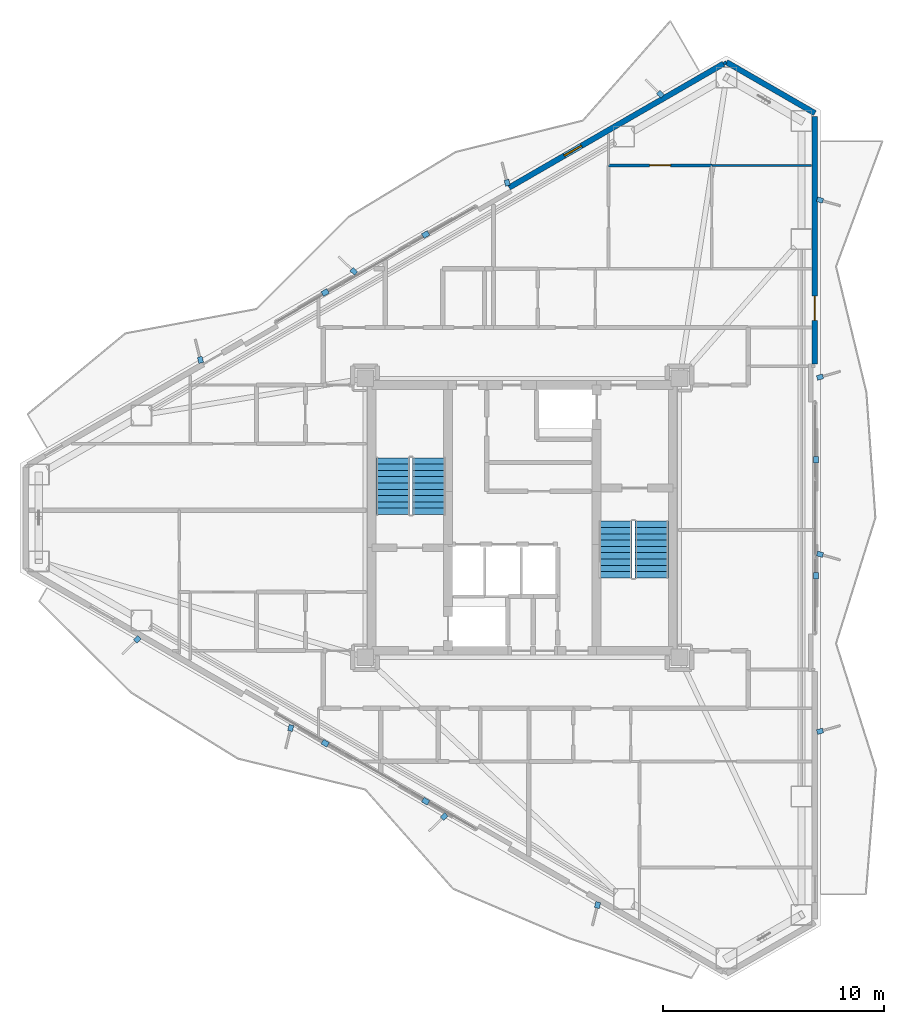
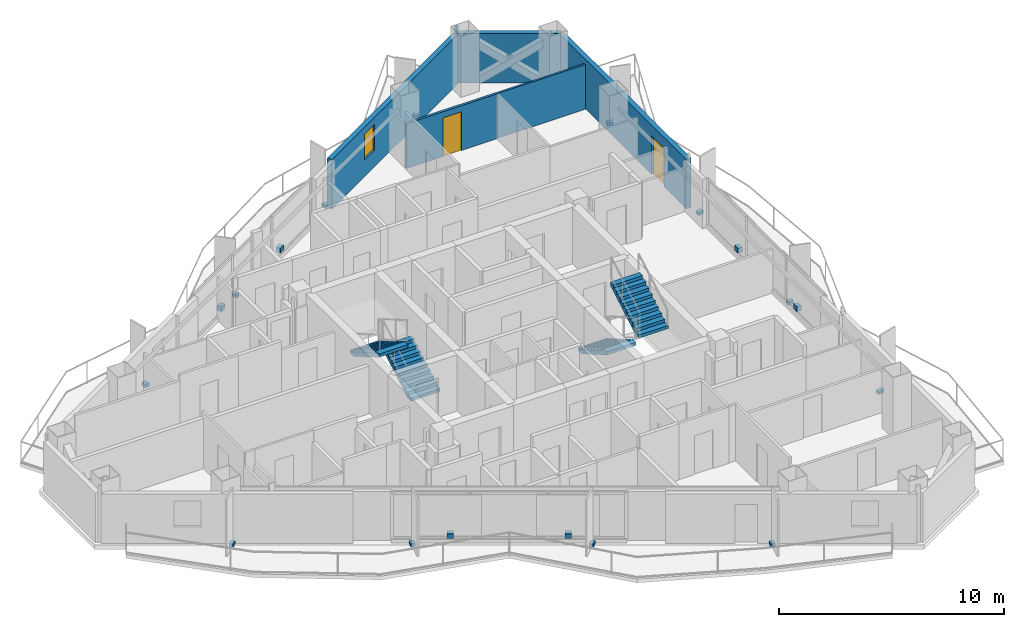
# One storey, part 17 of 19: 18 discrete accessories, 6 walls, 4 stair flights, 2 doors, 1 window, 3 openings, 2 elements without a shape of their own.
"""IFC4 building model written with IfcOpenShell, lengths in metres."""

from ifc_helpers import new_model, si_unit, direction, frame, frame_2d, origin, origin_2d, place, context, subcontext, project, spatial, polyline, rectangle, outline, extrude, material, layer, layer_set, type_object, element, fill, aggregate, save


model = new_model("IFC4")

# Units and contexts
model_context = context("Model", 3, precision=1e-05, world=origin(), true_north=direction((0.0, 1.0)))
body_context = subcontext(model_context, "Body", "Model", "MODEL_VIEW")
ifc_project = project(units=[si_unit("LENGTHUNIT", "METRE"), si_unit("AREAUNIT", "SQUARE_METRE"), si_unit("VOLUMEUNIT", "CUBIC_METRE"), si_unit("PLANEANGLEUNIT", "RADIAN"), si_unit("MASSUNIT", "GRAM", prefix="KILO")], contexts=[model_context])

# Site, building, storey
site_placement = place(None, origin())
site = spatial("IfcSite", under=ifc_project, at=site_placement, CompositionType="ELEMENT")
building_placement = place(site_placement, origin())
building = spatial("IfcBuilding", under=site, at=building_placement, Name="Mersakhor Tower and Convention Hall", CompositionType="ELEMENT")
storey_placement = place(building_placement, frame((0.0, 0.0, 144.300048828125)))
storey = spatial("IfcBuildingStorey", under=building, at=storey_placement, Name="L40", CompositionType="ELEMENT", Elevation=144.300048828125)

# Wall
ifc_material_1 = material(Name="Precast concrete C40/50", Category="concrete")
ifc_layer_1 = layer(ifc_material_1, 0.25)
ifc_layer_set_1 = layer_set([ifc_layer_1], Name="Precast concrete C40/50")
wall_type_1 = type_object("IfcWallType", Name="WL-EXT-250", PredefinedType="SOLIDWALL", material=ifc_layer_set_1)
wall_1_placement = place(storey_placement, frame((38.220458984375, 47.337646484375, 0.0), z_axis=(0.0, 0.0, 1.0), x_axis=(0.866035021055, -0.499983342029, 0.0)))
element("IfcWall", 1, at=wall_1_placement, inside=storey, type_object=wall_type_1, Name="L40 Chamfer Braced Spandrel Wall C1", PredefinedType="SOLIDWALL", context=body_context, shape_type="SweptSolid", body=[
    extrude(rectangle(XDim=4.617431640625, YDim=0.25, at=frame_2d((2.30859375, 0.0))), origin(), (0.0, 0.0, 1.0), 2.679931640625),
])

# Wall, opening, window
wall_2_placement = place(storey_placement, frame((28.4033203125, 41.669677734375, 0.0), z_axis=(0.0, 0.0, 1.0), x_axis=(0.86602239209, 0.500005216371, 0.0)))
wall_2 = element("IfcWall", 2, at=wall_2_placement, inside=storey, type_object=wall_type_1, Name="L40 Exterior Facade Wall F1-B3", PredefinedType="SOLIDWALL", context=body_context, shape_type="SweptSolid", body=[
    extrude(rectangle(XDim=11.18603515625, YDim=0.25, at=frame_2d((5.593017578125, 0.0))), origin(), (0.0, 0.0, 1.0), 2.679931640625),
])
opening_1_placement = place(wall_2_placement, frame((2.8798828125, 0.0, 0.89990234375)))
opening_1 = element("IfcOpeningElement", 3, at=opening_1_placement, cuts=wall_2, Name="Opening W-06", PredefinedType="OPENING", context=body_context, shape_type="SweptSolid", body=[
    extrude(rectangle(XDim=0.89990234375, YDim=1.39990234375, at=frame_2d((0.449951171875, 0.699951171875))), frame((0.0, 0.135009765625, 0.0), z_axis=(0.0, -1.0, 0.0), x_axis=(1.0, 0.0, 0.0)), (0.0, 0.0, 1.0), 0.27001953125),
])
ifc_material_2 = material(Name="Dark solar low-E glazed aluminium window", Category="aluminium")
window_type = type_object("IfcWindowType", Name="WN-STD-090x140", PartitioningType="SINGLE_PANEL", PredefinedType="WINDOW", material=ifc_material_2)
window_placement = place(opening_1_placement, origin())
window = element("IfcWindow", 4, at=window_placement, inside=storey, type_object=window_type, Name="L40 Facade Punched Window F1-B3", OverallHeight=1.39990234375, OverallWidth=0.89990234375, PartitioningType="SINGLE_PANEL", PredefinedType="WINDOW", context=body_context, shape_type="SweptSolid", body=[
    extrude(rectangle(XDim=0.89990234375, YDim=1.39990234375, at=frame_2d((0.449951171875, 0.699951171875))), frame((0.0, 0.030029296875, 0.0), z_axis=(0.0, -1.0, 0.0), x_axis=(1.0, 0.0, 0.0)), (0.0, 0.0, 1.0), 0.06005859375),
])
fill(opening_1, window)

# Wall, opening, door
wall_3_placement = place(storey_placement, frame((42.21923828125, 44.87890625, 0.0), z_axis=(0.0, 0.0, 1.0), x_axis=(0.0, -1.0, 0.0)))
wall_3 = element("IfcWall", 5, at=wall_3_placement, inside=storey, type_object=wall_type_1, Name="L40 Exterior Facade Wall F2-B1", PredefinedType="SOLIDWALL", context=body_context, shape_type="SweptSolid", body=[
    extrude(rectangle(XDim=11.185791015625, YDim=0.25, at=frame_2d((5.5927734375, 0.0))), origin(), (0.0, 0.0, 1.0), 2.679931640625),
])
opening_2_placement = place(wall_3_placement, frame((8.10888671875, 0.0, 0.0)))
opening_2 = element("IfcOpeningElement", 6, at=opening_2_placement, cuts=wall_3, Name="Opening BD-02", PredefinedType="OPENING", context=body_context, shape_type="SweptSolid", body=[
    extrude(rectangle(XDim=1.10009765625, YDim=2.10009765625, at=frame_2d((0.550048828125, 1.050048828125))), frame((0.0, 0.135009765625, 0.0), z_axis=(0.0, -1.0, 0.0), x_axis=(1.0, 0.0, 0.0)), (0.0, 0.0, 1.0), 0.27001953125),
])
ifc_material_3 = material(Name="Thermally broken dark aluminium and safety glass", Category="aluminium")
door_type_1 = type_object("IfcDoorType", Name="DR-BAL-110x210", OperationType="NOTDEFINED", PredefinedType="DOOR", material=ifc_material_3)
door_1_placement = place(opening_2_placement, origin())
door_1 = element("IfcDoor", 7, at=door_1_placement, inside=storey, type_object=door_type_1, Name="L40 Balcony Terrace Door F2-B1", OperationType="SINGLE_SWING_RIGHT", OverallHeight=2.10009765625, OverallWidth=1.10009765625, PredefinedType="DOOR", context=body_context, shape_type="SweptSolid", body=[
    extrude(rectangle(XDim=1.10009765625, YDim=2.10009765625, at=frame_2d((0.550048828125, 1.050048828125))), frame((0.0, 0.02490234375, 0.0), z_axis=(0.0, -1.0, 0.0), x_axis=(1.0, 0.0, 0.0)), (0.0, 0.0, 1.0), 0.050048828125),
])
fill(opening_2, door_1)

# Wall
ifc_material_4 = material(Name="Lightweight gypsum partition", Category="other")
ifc_layer_2 = layer(ifc_material_4, 0.10009765625)
ifc_layer_set_2 = layer_set([ifc_layer_2], Name="Lightweight gypsum partition")
wall_type_2 = type_object("IfcWallType", Name="WL-PRT-100", PredefinedType="PARTITIONING", material=ifc_layer_set_2)
wall_4_placement = place(storey_placement, frame((37.56005859375, 42.669921875, 0.0), z_axis=(0.0, 0.0, 1.0), x_axis=(1.0, 0.0, 0.0)))
element("IfcWall", 8, at=wall_4_placement, inside=storey, type_object=wall_type_2, Name="L40 Interior Partition Wall P-118", PredefinedType="PARTITIONING", context=body_context, shape_type="SweptSolid", body=[
    extrude(rectangle(XDim=4.51025390625, YDim=0.10009765625, at=frame_2d((2.255126953125, 0.0))), origin(), (0.0, 0.0, 1.0), 2.432861328125),
])

# Wall, opening, door
ifc_material_5 = material(Name="Gypsum board acoustic partition", Category="other")
ifc_layer_3 = layer(ifc_material_5, 0.125)
ifc_layer_set_3 = layer_set([ifc_layer_3], Name="Gypsum board acoustic partition")
wall_type_3 = type_object("IfcWallType", Name="WL-PRT-125", PredefinedType="PARTITIONING", material=ifc_layer_set_3)
wall_5_placement = place(storey_placement, frame((32.89990234375, 42.669921875, 0.0), z_axis=(0.0, 0.0, 1.0), x_axis=(1.0, 0.0, 0.0)))
wall_5 = element("IfcWall", 9, at=wall_5_placement, inside=storey, type_object=wall_type_3, Name="L40 Interior Partition Wall P-117", PredefinedType="PARTITIONING", context=body_context, shape_type="SweptSolid", body=[
    extrude(rectangle(XDim=4.66015625, YDim=0.125, at=frame_2d((2.330078125, 0.0))), origin(), (0.0, 0.0, 1.0), 2.432861328125),
])
opening_3_placement = place(wall_5_placement, frame((1.85498046875, 0.0, 0.0)))
opening_3 = element("IfcOpeningElement", 10, at=opening_3_placement, cuts=wall_5, Name="Opening RD-01", PredefinedType="OPENING", context=body_context, shape_type="SweptSolid", body=[
    extrude(rectangle(XDim=0.949951171875, YDim=2.10009765625, at=frame_2d((0.47509765625, 1.050048828125))), frame((0.0, 0.072509765625, 0.0), z_axis=(0.0, -1.0, 0.0), x_axis=(1.0, 0.0, 0.0)), (0.0, 0.0, 1.0), 0.14501953125),
])
ifc_material_6 = material(Name="Solid-core hardwood leaf in painted steel frame", Category="steel")
door_type_2 = type_object("IfcDoorType", Name="DR-INT-RM-095x210", OperationType="NOTDEFINED", PredefinedType="DOOR", material=ifc_material_6)
door_2_placement = place(opening_3_placement, origin())
door_2 = element("IfcDoor", 11, at=door_2_placement, inside=storey, type_object=door_type_2, Name="L40 L40 Flat N2 Bedroom 1 to L40 Flat N2 Study Room Door", OperationType="SINGLE_SWING_LEFT", OverallHeight=2.10009765625, OverallWidth=0.949951171875, PredefinedType="DOOR", context=body_context, shape_type="SweptSolid", body=[
    extrude(rectangle(XDim=0.949951171875, YDim=2.10009765625, at=frame_2d((0.47509765625, 1.050048828125))), frame((0.0, 0.02490234375, 0.0), z_axis=(0.0, -1.0, 0.0), x_axis=(1.0, 0.0, 0.0)), (0.0, 0.0, 1.0), 0.050048828125),
])
fill(opening_3, door_2)

# Wall
wall_6_placement = place(storey_placement, frame((38.090576171875, 47.2626953125, 0.0), z_axis=(0.0, 0.0, 1.0), x_axis=(0.865833797362, 0.500331725305, 0.0)))
element("IfcWall", 12, at=wall_6_placement, inside=storey, type_object=wall_type_3, Name="L40 Interior Partition Wall P-119", PredefinedType="PARTITIONING", context=body_context, shape_type="SweptSolid", body=[
    extrude(rectangle(XDim=0.150390625, YDim=0.125, at=frame_2d((0.0751953125, 0.0))), origin(), (0.0, 0.0, 1.0), 3.06005859375),
])

# Stair, stair flights
ifc_material_7 = material(Name="Concrete C45/55", Category="concrete")
stair_type = type_object("IfcStairType", Name="ST-TWR-20R", PredefinedType="HALF_TURN_STAIR", material=ifc_material_7)
stair_1_placement = place(storey_placement, origin())
stair_1 = element("IfcStair", 13, at=stair_1_placement, inside=storey, type_object=stair_type, Name="L40 Tower Protected Exit Stair ST-1", PredefinedType="HALF_TURN_STAIR")
ifc_material_8 = material(Name="Concrete C45/55", Category="concrete")
stair_flight_type = type_object("IfcStairFlightType", Name="SFL-TWR-20R", PredefinedType="STRAIGHT", material=ifc_material_8)
stair_flight_1_placement = place(storey_placement, frame((24.800048828125, 26.89990234375, 0.0), z_axis=(0.0, 0.0, 1.0), x_axis=(0.0, 1.0, 0.0)))
stair_flight_1 = element("IfcStairFlight", 14, at=stair_flight_1_placement, type_object=stair_flight_type, Name="ST-1 flight 1", NumberOfRisers=10, NumberOfTreads=9, PredefinedType="STRAIGHT", RiserHeight=0.165, TreadLength=0.285, context=body_context, shape_type="SweptSolid", body=[
    extrude(outline(polyline([(0.0, 0.0), (0.0, 0.1650390625), (0.284912109375, 0.1650390625), (0.284912109375, 0.330078125), (0.570068359375, 0.330078125), (0.570068359375, 0.4951171875), (0.85498046875, 0.4951171875), (0.85498046875, 0.659912109375), (1.139892578125, 0.659912109375), (1.139892578125, 0.824951171875), (1.425048828125, 0.824951171875), (1.425048828125, 0.989990234375), (1.7099609375, 0.989990234375), (1.7099609375, 1.155029296875), (1.9951171875, 1.155029296875), (1.9951171875, 1.320068359375), (2.280029296875, 1.320068359375), (2.280029296875, 1.485107421875), (2.56494140625, 1.485107421875), (2.56494140625, 1.64990234375), (2.56494140625, 1.311767578125), (0.299072265625, 0.0), (0.0, 0.0)])), frame((0.0, 0.75, 0.0), z_axis=(0.0, -1.0, 0.0), x_axis=(1.0, 0.0, 0.0)), (0.0, 0.0, 1.0), 1.5),
])
stair_flight_2_placement = place(storey_placement, frame((23.14990234375, 29.465087890625, 1.64990234375), z_axis=(0.0, 0.0, 1.0), x_axis=(0.0, -1.0, 0.0)))
stair_flight_2 = element("IfcStairFlight", 15, at=stair_flight_2_placement, type_object=stair_flight_type, Name="ST-1 flight 2", NumberOfRisers=10, NumberOfTreads=9, PredefinedType="STRAIGHT", RiserHeight=0.165, TreadLength=0.285, context=body_context, shape_type="SweptSolid", body=[
    extrude(outline(polyline([(0.0, 0.0), (0.0, 0.1650390625), (0.284912109375, 0.1650390625), (0.284912109375, 0.330078125), (0.570068359375, 0.330078125), (0.570068359375, 0.4951171875), (0.85498046875, 0.4951171875), (0.85498046875, 0.659912109375), (1.139892578125, 0.659912109375), (1.139892578125, 0.824951171875), (1.425048828125, 0.824951171875), (1.425048828125, 0.989990234375), (1.7099609375, 0.989990234375), (1.7099609375, 1.155029296875), (1.9951171875, 1.155029296875), (1.9951171875, 1.320068359375), (2.280029296875, 1.320068359375), (2.280029296875, 1.485107421875), (2.56494140625, 1.485107421875), (2.56494140625, 1.64990234375), (2.56494140625, 1.311767578125), (0.299072265625, 0.0), (0.0, 0.0)])), frame((0.0, 0.75, 0.0), z_axis=(0.0, -1.0, 0.0), x_axis=(1.0, 0.0, 0.0)), (0.0, 0.0, 1.0), 1.5),
])
aggregate(stair_1, [stair_flight_1, stair_flight_2])

stair_2_placement = place(storey_placement, origin())
stair_2 = element("IfcStair", 16, at=stair_2_placement, inside=storey, type_object=stair_type, Name="L40 Tower Protected Exit Stair ST-2", PredefinedType="HALF_TURN_STAIR")
stair_flight_3_placement = place(storey_placement, frame((33.199951171875, 26.60009765625, 0.0), z_axis=(0.0, 0.0, 1.0), x_axis=(0.0, -1.0, 0.0)))
stair_flight_3 = element("IfcStairFlight", 17, at=stair_flight_3_placement, type_object=stair_flight_type, Name="ST-2 flight 1", NumberOfRisers=10, NumberOfTreads=9, PredefinedType="STRAIGHT", RiserHeight=0.165, TreadLength=0.285, context=body_context, shape_type="SweptSolid", body=[
    extrude(outline(polyline([(0.0, 0.0), (0.0, 0.1650390625), (0.284912109375, 0.1650390625), (0.284912109375, 0.330078125), (0.570068359375, 0.330078125), (0.570068359375, 0.4951171875), (0.85498046875, 0.4951171875), (0.85498046875, 0.659912109375), (1.139892578125, 0.659912109375), (1.139892578125, 0.824951171875), (1.425048828125, 0.824951171875), (1.425048828125, 0.989990234375), (1.7099609375, 0.989990234375), (1.7099609375, 1.155029296875), (1.9951171875, 1.155029296875), (1.9951171875, 1.320068359375), (2.280029296875, 1.320068359375), (2.280029296875, 1.485107421875), (2.56494140625, 1.485107421875), (2.56494140625, 1.64990234375), (2.56494140625, 1.311767578125), (0.299072265625, 0.0), (0.0, 0.0)])), frame((0.0, 0.75, 0.0), z_axis=(0.0, -1.0, 0.0), x_axis=(1.0, 0.0, 0.0)), (0.0, 0.0, 1.0), 1.5),
])
stair_flight_4_placement = place(storey_placement, frame((34.85009765625, 24.034912109375, 1.64990234375), z_axis=(0.0, 0.0, 1.0), x_axis=(0.0, 1.0, 0.0)))
stair_flight_4 = element("IfcStairFlight", 18, at=stair_flight_4_placement, type_object=stair_flight_type, Name="ST-2 flight 2", NumberOfRisers=10, NumberOfTreads=9, PredefinedType="STRAIGHT", RiserHeight=0.165, TreadLength=0.285, context=body_context, shape_type="SweptSolid", body=[
    extrude(outline(polyline([(0.0, 0.0), (0.0, 0.1650390625), (0.284912109375, 0.1650390625), (0.284912109375, 0.330078125), (0.570068359375, 0.330078125), (0.570068359375, 0.4951171875), (0.85498046875, 0.4951171875), (0.85498046875, 0.659912109375), (1.139892578125, 0.659912109375), (1.139892578125, 0.824951171875), (1.425048828125, 0.824951171875), (1.425048828125, 0.989990234375), (1.7099609375, 0.989990234375), (1.7099609375, 1.155029296875), (1.9951171875, 1.155029296875), (1.9951171875, 1.320068359375), (2.280029296875, 1.320068359375), (2.280029296875, 1.485107421875), (2.56494140625, 1.485107421875), (2.56494140625, 1.64990234375), (2.56494140625, 1.311767578125), (0.299072265625, 0.0), (0.0, 0.0)])), frame((0.0, 0.75, 0.0), z_axis=(0.0, -1.0, 0.0), x_axis=(1.0, 0.0, 0.0)), (0.0, 0.0, 1.0), 1.5),
])
aggregate(stair_2, [stair_flight_3, stair_flight_4])

# Discrete accessories
ifc_material_9 = material(Name="Galvanised steel bracket", Category="steel")
ifc_layer_4 = layer(ifc_material_9, 0.02001953125)
ifc_layer_set_4 = layer_set([ifc_layer_4], Name="Galvanised steel bracket")
discrete_accessory_type = type_object("IfcDiscreteAccessoryType", Name="ACC-BRK-STL", PredefinedType="BRACKET", material=ifc_layer_set_4)
for number, where, z_axis, x_axis, name in (
    (19, (20.09521484375, 36.9306640625, 0.2900390625), (0.0, 0.0, 1.0), (0.866025403784, 0.5, 0.0), "L40 Solar Screen Outrigger Bracket BRK-1-1"),
    (20, (24.6357421875, 39.55224609375, 0.2900390625), (0.0, 0.0, 1.0), (0.866025403784, 0.5, 0.0), "L40 Solar Screen Outrigger Bracket BRK-1-2"),
):
    element("IfcDiscreteAccessory", number, at=place(storey_placement, frame(where, z_axis=z_axis, x_axis=x_axis)), inside=storey, type_object=discrete_accessory_type, Name=name, PredefinedType="BRACKET", context=body_context, shape_type="SweptSolid", body=[
        extrude(rectangle(XDim=0.300048828125, YDim=0.239990234375, at=origin_2d()), origin(), (0.0, 0.0, 1.0), 0.260009765625),
    ])
for number, where, z_axis, x_axis, name in (
    (21, (14.4609375, 33.8857421875, -0.02001953125), (0.0, 0.0, 1.0), (-0.2419218956, 0.970295726276, 0.0), "L40 Facade Fin Base Cleat Bracket FBRK-1-1"),
    (22, (21.38916015625, 37.8857421875, -0.02001953125), (0.0, 0.0, 1.0), (-0.719339800339, 0.694658370459, 0.0), "L40 Facade Fin Base Cleat Bracket FBRK-1-2"),
    (23, (28.3173828125, 41.885498046875, -0.02001953125), (0.0, 0.0, 1.0), (-0.2419218956, 0.970295726276, 0.0), "L40 Facade Fin Base Cleat Bracket FBRK-1-3"),
    (24, (35.24560546875, 45.885498046875, -0.02001953125), (0.0, 0.0, 1.0), (-0.719339800339, 0.694658370459, 0.0), "L40 Facade Fin Base Cleat Bracket FBRK-1-4"),
):
    element("IfcDiscreteAccessory", number, at=place(storey_placement, frame(where, z_axis=z_axis, x_axis=x_axis)), inside=storey, type_object=discrete_accessory_type, Name=name, PredefinedType="BRACKET", context=body_context, shape_type="SweptSolid", body=[
        extrude(rectangle(XDim=0.280029296875, YDim=0.219970703125, at=origin_2d()), origin(), (0.0, 0.0, 1.0), 0.159912109375),
    ])
for number, where, z_axis, x_axis, name in (
    (25, (42.269287109375, 29.37158203125, 0.2900390625), (0.0, 0.0, 1.0), (0.0, -1.0, 0.0), "L40 Solar Screen Outrigger Bracket BRK-2-1"),
    (26, (42.269287109375, 24.12841796875, 0.2900390625), (0.0, 0.0, 1.0), (0.0, -1.0, 0.0), "L40 Solar Screen Outrigger Bracket BRK-2-2"),
):
    element("IfcDiscreteAccessory", number, at=place(storey_placement, frame(where, z_axis=z_axis, x_axis=x_axis)), inside=storey, type_object=discrete_accessory_type, Name=name, PredefinedType="BRACKET", context=body_context, shape_type="SweptSolid", body=[
        extrude(rectangle(XDim=0.300048828125, YDim=0.239990234375, at=origin_2d()), origin(), (0.0, 0.0, 1.0), 0.260009765625),
    ])
for number, where, z_axis, x_axis, name in (
    (27, (42.44921875, 41.106689453125, -0.02001953125), (0.0, 0.0, 1.0), (0.961261695938, -0.275637355817, 0.0), "L40 Facade Fin Base Cleat Bracket FBRK-2-1"),
    (28, (42.44921875, 33.106689453125, -0.02001953125), (0.0, 0.0, 1.0), (0.961261695938, 0.275637355817, 0.0), "L40 Facade Fin Base Cleat Bracket FBRK-2-2"),
    (29, (42.44921875, 25.106689453125, -0.02001953125), (0.0, 0.0, 1.0), (0.961261695938, -0.275637355817, 0.0), "L40 Facade Fin Base Cleat Bracket FBRK-2-3"),
    (30, (42.44921875, 17.106689453125, -0.02001953125), (0.0, 0.0, 1.0), (0.961261695938, 0.275637355817, 0.0), "L40 Facade Fin Base Cleat Bracket FBRK-2-4"),
):
    element("IfcDiscreteAccessory", number, at=place(storey_placement, frame(where, z_axis=z_axis, x_axis=x_axis)), inside=storey, type_object=discrete_accessory_type, Name=name, PredefinedType="BRACKET", context=body_context, shape_type="SweptSolid", body=[
        extrude(rectangle(XDim=0.280029296875, YDim=0.219970703125, at=origin_2d()), origin(), (0.0, 0.0, 1.0), 0.159912109375),
    ])
for number, where, z_axis, x_axis, name in (
    (31, (24.6357421875, 13.94775390625, 0.2900390625), (0.0, 0.0, 1.0), (-0.866025403784, 0.5, 0.0), "L40 Solar Screen Outrigger Bracket BRK-3-1"),
    (32, (20.09521484375, 16.5693359375, 0.2900390625), (0.0, 0.0, 1.0), (-0.866025403784, 0.5, 0.0), "L40 Solar Screen Outrigger Bracket BRK-3-2"),
):
    element("IfcDiscreteAccessory", number, at=place(storey_placement, frame(where, z_axis=z_axis, x_axis=x_axis)), inside=storey, type_object=discrete_accessory_type, Name=name, PredefinedType="BRACKET", context=body_context, shape_type="SweptSolid", body=[
        extrude(rectangle(XDim=0.300048828125, YDim=0.239990234375, at=origin_2d()), origin(), (0.0, 0.0, 1.0), 0.260009765625),
    ])
for number, where, z_axis, x_axis, name in (
    (33, (32.3994140625, 9.2578125, -0.02001953125), (0.0, 0.0, 1.0), (-0.2419218956, -0.970295726276, 0.0), "L40 Facade Fin Base Cleat Bracket FBRK-3-1"),
    (34, (25.470947265625, 13.2578125, -0.02001953125), (0.0, 0.0, 1.0), (-0.719339800339, -0.694658370459, 0.0), "L40 Facade Fin Base Cleat Bracket FBRK-3-2"),
    (35, (18.542724609375, 17.2578125, -0.02001953125), (0.0, 0.0, 1.0), (-0.2419218956, -0.970295726276, 0.0), "L40 Facade Fin Base Cleat Bracket FBRK-3-3"),
    (36, (11.614501953125, 21.257568359375, -0.02001953125), (0.0, 0.0, 1.0), (-0.719339800339, -0.694658370459, 0.0), "L40 Facade Fin Base Cleat Bracket FBRK-3-4"),
):
    element("IfcDiscreteAccessory", number, at=place(storey_placement, frame(where, z_axis=z_axis, x_axis=x_axis)), inside=storey, type_object=discrete_accessory_type, Name=name, PredefinedType="BRACKET", context=body_context, shape_type="SweptSolid", body=[
        extrude(rectangle(XDim=0.280029296875, YDim=0.219970703125, at=origin_2d()), origin(), (0.0, 0.0, 1.0), 0.159912109375),
    ])

save(model, "model.ifc")
